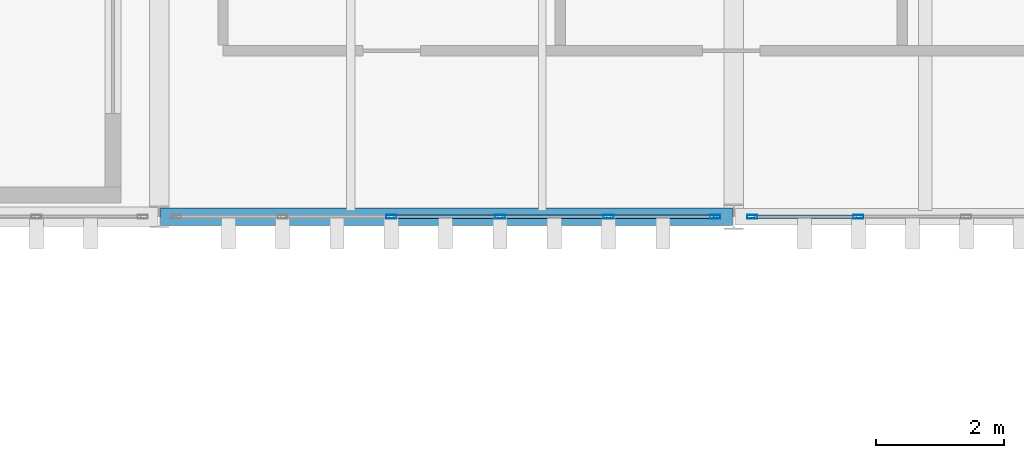
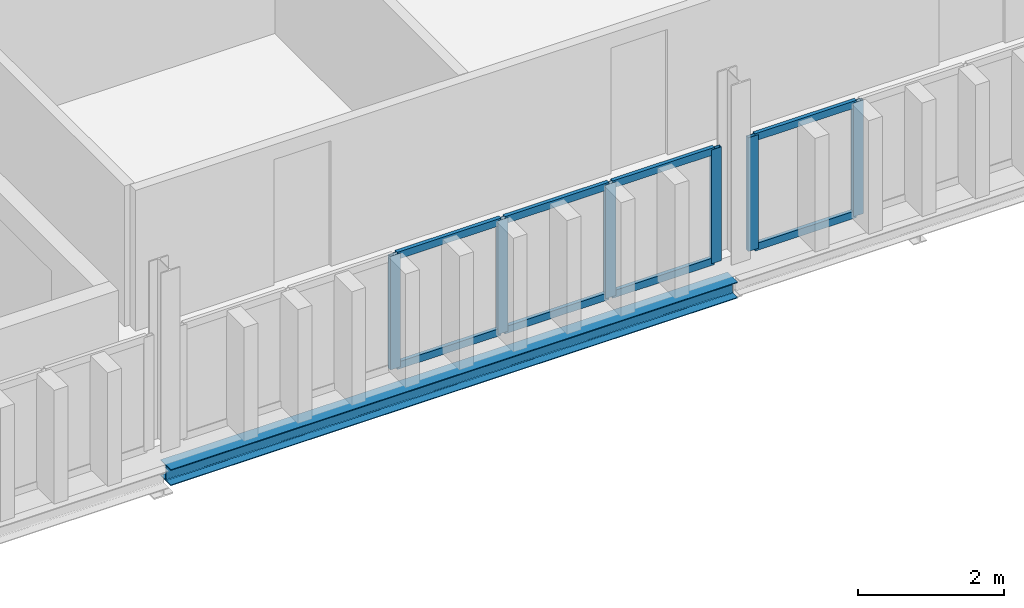
# One storey, part 34 of 58: 14 members, 1 beam, 2 elements without a shape of their own.
"""IFC4 building model written with IfcOpenShell, lengths in metres."""

from ifc_helpers import new_model, si_unit, direction, frame, origin, origin_2d, place, context, subcontext, project, spatial, hollow_rectangle, i_section, extrude, material, layer, layer_set, material_profile, profile_set, type_object, element, aggregate, save


model = new_model("IFC4")

# Units and contexts
model_context = context("Model", 3, precision=1e-05, world=origin(), true_north=direction((0.0, 1.0)))
body_context = subcontext(model_context, "Body", "Model", "MODEL_VIEW")
ifc_project = project(units=[si_unit("LENGTHUNIT", "METRE"), si_unit("AREAUNIT", "SQUARE_METRE"), si_unit("VOLUMEUNIT", "CUBIC_METRE"), si_unit("PLANEANGLEUNIT", "RADIAN"), si_unit("MASSUNIT", "GRAM", prefix="KILO")], contexts=[model_context])

# Site, building, storey
site_placement = place(None, origin())
site = spatial("IfcSite", under=ifc_project, at=site_placement, CompositionType="ELEMENT")
building_placement = place(site_placement, origin())
building = spatial("IfcBuilding", under=site, at=building_placement, Name="Barlavento Convention Centre", CompositionType="ELEMENT")
storey_placement = place(building_placement, frame((0.0, 0.0, 26.800048828125)))
storey = spatial("IfcBuildingStorey", under=building, at=storey_placement, Name="L05", CompositionType="ELEMENT", Elevation=26.800048828125)

# Curtain wall, members
ifc_material_1 = material(Name="Powder-coated aluminium and Low-E glass", Category="aluminium")
ifc_layer = layer(ifc_material_1, 0.18994140625)
ifc_layer_set = layer_set([ifc_layer], Name="ARC-CW-CONF-L05")
curtain_wall_type = type_object("IfcCurtainWallType", Name="ARC-CW-CONF-L05", PredefinedType="NOTDEFINED", material=ifc_layer_set)
curtain_wall_1_placement = place(storey_placement, origin())
curtain_wall_1 = element("IfcCurtainWall", 1, at=curtain_wall_1_placement, inside=storey, type_object=curtain_wall_type, Name="L05 unitised curtain wall CW10", PredefinedType="NOTDEFINED")
ifc_material_2 = material(Name="Powder-coated aluminium", Category="aluminium")
ifc_material_profile_1 = material_profile(ifc_material_2, hollow_rectangle(XDim=0.06005859375, YDim=0.159912109375, WallThickness=0.00390625, at=origin_2d()), Name="AL-MULL 60x160x4")
ifc_profile_set_1 = profile_set([ifc_material_profile_1], Name="Powder-coated aluminium")
member_type_1 = type_object("IfcMemberType", Name="ARC-CWM-60X160", PredefinedType="MULLION", material=ifc_profile_set_1)
member_1_placement = place(storey_placement, frame((156.634033203125, 90.0, 0.0), z_axis=(0.0, 0.0, 1.0), x_axis=(0.0, 1.0, 0.0)))
member_1 = element("IfcMember", 2, at=member_1_placement, type_object=member_type_1, Name="CW10 mullion 3", PredefinedType="MULLION", context=body_context, shape_type="SweptSolid", body=[
    extrude(hollow_rectangle(XDim=0.06005859375, YDim=0.159912109375, WallThickness=0.00390625, at=origin_2d()), origin(), (0.0, 0.0, 1.0), 1.89990234375),
])
member_2_placement = place(storey_placement, frame((158.3359375, 90.0, 0.0), z_axis=(0.0, 0.0, 1.0), x_axis=(0.0, 1.0, 0.0)))
member_2 = element("IfcMember", 3, at=member_2_placement, type_object=member_type_1, Name="CW10 mullion 4", PredefinedType="MULLION", context=body_context, shape_type="SweptSolid", body=[
    extrude(hollow_rectangle(XDim=0.06005859375, YDim=0.159912109375, WallThickness=0.00390625, at=origin_2d()), origin(), (0.0, 0.0, 1.0), 1.89990234375),
])
member_3_placement = place(storey_placement, frame((160.0380859375, 90.0, 0.0), z_axis=(0.0, 0.0, 1.0), x_axis=(0.0, 1.0, 0.0)))
member_3 = element("IfcMember", 4, at=member_3_placement, type_object=member_type_1, Name="CW10 mullion 5", PredefinedType="MULLION", context=body_context, shape_type="SweptSolid", body=[
    extrude(hollow_rectangle(XDim=0.06005859375, YDim=0.159912109375, WallThickness=0.00390625, at=origin_2d()), origin(), (0.0, 0.0, 1.0), 1.89990234375),
])
member_4_placement = place(storey_placement, frame((161.7099609375, 90.0, 0.0), z_axis=(0.0, 0.0, 1.0), x_axis=(0.0, 1.0, 0.0)))
member_4 = element("IfcMember", 5, at=member_4_placement, type_object=member_type_1, Name="CW10 mullion 6", PredefinedType="MULLION", context=body_context, shape_type="SweptSolid", body=[
    extrude(hollow_rectangle(XDim=0.06005859375, YDim=0.159912109375, WallThickness=0.00390625, at=origin_2d()), origin(), (0.0, 0.0, 1.0), 1.89990234375),
])

curtain_wall_2_placement = place(storey_placement, origin())
curtain_wall_2 = element("IfcCurtainWall", 6, at=curtain_wall_2_placement, inside=storey, type_object=curtain_wall_type, Name="L05 unitised curtain wall CW10", PredefinedType="NOTDEFINED")
member_5_placement = place(storey_placement, frame((162.2900390625, 90.0, 0.0), z_axis=(0.0, 0.0, 1.0), x_axis=(0.0, 1.0, 0.0)))
member_5 = element("IfcMember", 7, at=member_5_placement, type_object=member_type_1, Name="CW10 mullion 1", PredefinedType="MULLION", context=body_context, shape_type="SweptSolid", body=[
    extrude(hollow_rectangle(XDim=0.06005859375, YDim=0.159912109375, WallThickness=0.00390625, at=origin_2d()), origin(), (0.0, 0.0, 1.0), 1.89990234375),
])
member_6_placement = place(storey_placement, frame((163.950927734375, 90.0, 0.0), z_axis=(0.0, 0.0, 1.0), x_axis=(0.0, 1.0, 0.0)))
member_6 = element("IfcMember", 8, at=member_6_placement, type_object=member_type_1, Name="CW10 mullion 2", PredefinedType="MULLION", context=body_context, shape_type="SweptSolid", body=[
    extrude(hollow_rectangle(XDim=0.06005859375, YDim=0.159912109375, WallThickness=0.00390625, at=origin_2d()), origin(), (0.0, 0.0, 1.0), 1.89990234375),
])

# Member
ifc_material_profile_2 = material_profile(ifc_material_2, hollow_rectangle(XDim=0.06005859375, YDim=0.1201171875, WallThickness=0.00390625, at=origin_2d()), Name="AL-TRAN 60x120x4")
ifc_profile_set_2 = profile_set([ifc_material_profile_2], Name="Powder-coated aluminium")
member_type_2 = type_object("IfcMemberType", Name="ARC-CWT-60X120", PredefinedType="USERDEFINED", material=ifc_profile_set_2)
member_7_placement = place(storey_placement, frame((156.6640625, 90.0, 0.030029296875), z_axis=(1.0, 0.0, 0.0), x_axis=(0.0, 1.0, 0.0)))
member_7 = element("IfcMember", 9, at=member_7_placement, type_object=member_type_2, Name="CW10 transom 3.1", ObjectType="TRANSOM", PredefinedType="USERDEFINED", context=body_context, shape_type="SweptSolid", body=[
    extrude(hollow_rectangle(XDim=0.06005859375, YDim=0.1201171875, WallThickness=0.00390625, at=origin_2d()), origin(), (0.0, 0.0, 1.0), 1.641845703125),
])

member_8_placement = place(storey_placement, frame((156.6640625, 90.0, 1.869873046875), z_axis=(1.0, 0.0, 0.0), x_axis=(0.0, 1.0, 0.0)))
member_8 = element("IfcMember", 10, at=member_8_placement, type_object=member_type_2, Name="CW10 transom 3.2", ObjectType="TRANSOM", PredefinedType="USERDEFINED", context=body_context, shape_type="SweptSolid", body=[
    extrude(hollow_rectangle(XDim=0.06005859375, YDim=0.1201171875, WallThickness=0.00390625, at=origin_2d()), origin(), (0.0, 0.0, 1.0), 1.641845703125),
])

member_9_placement = place(storey_placement, frame((158.365966796875, 90.0, 0.030029296875), z_axis=(1.0, 0.0, 0.0), x_axis=(0.0, 1.0, 0.0)))
member_9 = element("IfcMember", 11, at=member_9_placement, type_object=member_type_2, Name="CW10 transom 4.1", ObjectType="TRANSOM", PredefinedType="USERDEFINED", context=body_context, shape_type="SweptSolid", body=[
    extrude(hollow_rectangle(XDim=0.06005859375, YDim=0.1201171875, WallThickness=0.00390625, at=origin_2d()), origin(), (0.0, 0.0, 1.0), 1.64208984375),
])

member_10_placement = place(storey_placement, frame((158.365966796875, 90.0, 1.869873046875), z_axis=(1.0, 0.0, 0.0), x_axis=(0.0, 1.0, 0.0)))
member_10 = element("IfcMember", 12, at=member_10_placement, type_object=member_type_2, Name="CW10 transom 4.2", ObjectType="TRANSOM", PredefinedType="USERDEFINED", context=body_context, shape_type="SweptSolid", body=[
    extrude(hollow_rectangle(XDim=0.06005859375, YDim=0.1201171875, WallThickness=0.00390625, at=origin_2d()), origin(), (0.0, 0.0, 1.0), 1.64208984375),
])

member_11_placement = place(storey_placement, frame((160.068115234375, 90.0, 0.030029296875), z_axis=(1.0, 0.0, 0.0), x_axis=(0.0, 1.0, 0.0)))
member_11 = element("IfcMember", 13, at=member_11_placement, type_object=member_type_2, Name="CW10 transom 5.1", ObjectType="TRANSOM", PredefinedType="USERDEFINED", context=body_context, shape_type="SweptSolid", body=[
    extrude(hollow_rectangle(XDim=0.06005859375, YDim=0.1201171875, WallThickness=0.00390625, at=origin_2d()), origin(), (0.0, 0.0, 1.0), 1.61181640625),
])

member_12_placement = place(storey_placement, frame((160.068115234375, 90.0, 1.869873046875), z_axis=(1.0, 0.0, 0.0), x_axis=(0.0, 1.0, 0.0)))
member_12 = element("IfcMember", 14, at=member_12_placement, type_object=member_type_2, Name="CW10 transom 5.2", ObjectType="TRANSOM", PredefinedType="USERDEFINED", context=body_context, shape_type="SweptSolid", body=[
    extrude(hollow_rectangle(XDim=0.06005859375, YDim=0.1201171875, WallThickness=0.00390625, at=origin_2d()), origin(), (0.0, 0.0, 1.0), 1.61181640625),
])

aggregate(curtain_wall_1, [member_1, member_2, member_3, member_4, member_7, member_8, member_9, member_10, member_11, member_12])

member_13_placement = place(storey_placement, frame((162.320068359375, 90.0, 0.030029296875), z_axis=(1.0, 0.0, 0.0), x_axis=(0.0, 1.0, 0.0)))
member_13 = element("IfcMember", 15, at=member_13_placement, type_object=member_type_2, Name="CW10 transom 1.1", ObjectType="TRANSOM", PredefinedType="USERDEFINED", context=body_context, shape_type="SweptSolid", body=[
    extrude(hollow_rectangle(XDim=0.06005859375, YDim=0.1201171875, WallThickness=0.00390625, at=origin_2d()), origin(), (0.0, 0.0, 1.0), 1.600830078125),
])

member_14_placement = place(storey_placement, frame((162.320068359375, 90.0, 1.869873046875), z_axis=(1.0, 0.0, 0.0), x_axis=(0.0, 1.0, 0.0)))
member_14 = element("IfcMember", 16, at=member_14_placement, type_object=member_type_2, Name="CW10 transom 1.2", ObjectType="TRANSOM", PredefinedType="USERDEFINED", context=body_context, shape_type="SweptSolid", body=[
    extrude(hollow_rectangle(XDim=0.06005859375, YDim=0.1201171875, WallThickness=0.00390625, at=origin_2d()), origin(), (0.0, 0.0, 1.0), 1.600830078125),
])

aggregate(curtain_wall_2, [member_5, member_6, member_13, member_14])

# Beam
ifc_material_3 = material(Name="Steel S355", Category="steel")
ifc_material_profile_3 = material_profile(ifc_material_3, i_section(OverallWidth=0.280029296875, OverallDepth=0.27001953125, WebThickness=0.008056640625, FlangeThickness=0.012939453125, FilletRadius=0.02392578125, at=origin_2d()), Name="HEA 280")
ifc_profile_set_3 = profile_set([ifc_material_profile_3], Name="Steel S355")
beam_type = type_object("IfcBeamType", Name="STR-BM-SPN-HEA280", PredefinedType="SPANDREL", material=ifc_profile_set_3)
beam_placement = place(storey_placement, frame((153.02001953125, 90.0, -0.4951171875), z_axis=(1.0, 0.0, 0.0), x_axis=(0.0, 1.0, 0.0)))
element("IfcBeam", 17, at=beam_placement, inside=storey, type_object=beam_type, Name="L05 primary girder SP03", PredefinedType="SPANDREL", context=body_context, shape_type="SweptSolid", body=[
    extrude(i_section(OverallWidth=0.280029296875, OverallDepth=0.27001953125, WebThickness=0.008056640625, FlangeThickness=0.012939453125, FilletRadius=0.02392578125, at=origin_2d()), origin(), (0.0, 0.0, 1.0), 8.9599609375),
])

save(model, "model.ifc")
